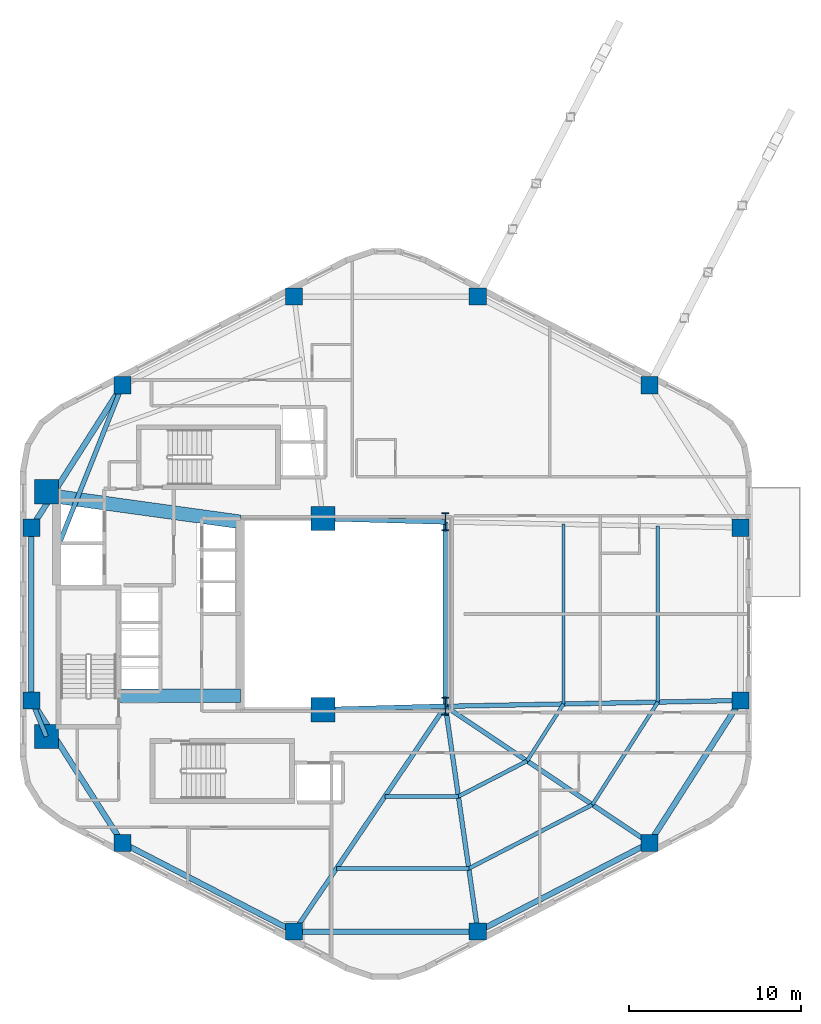
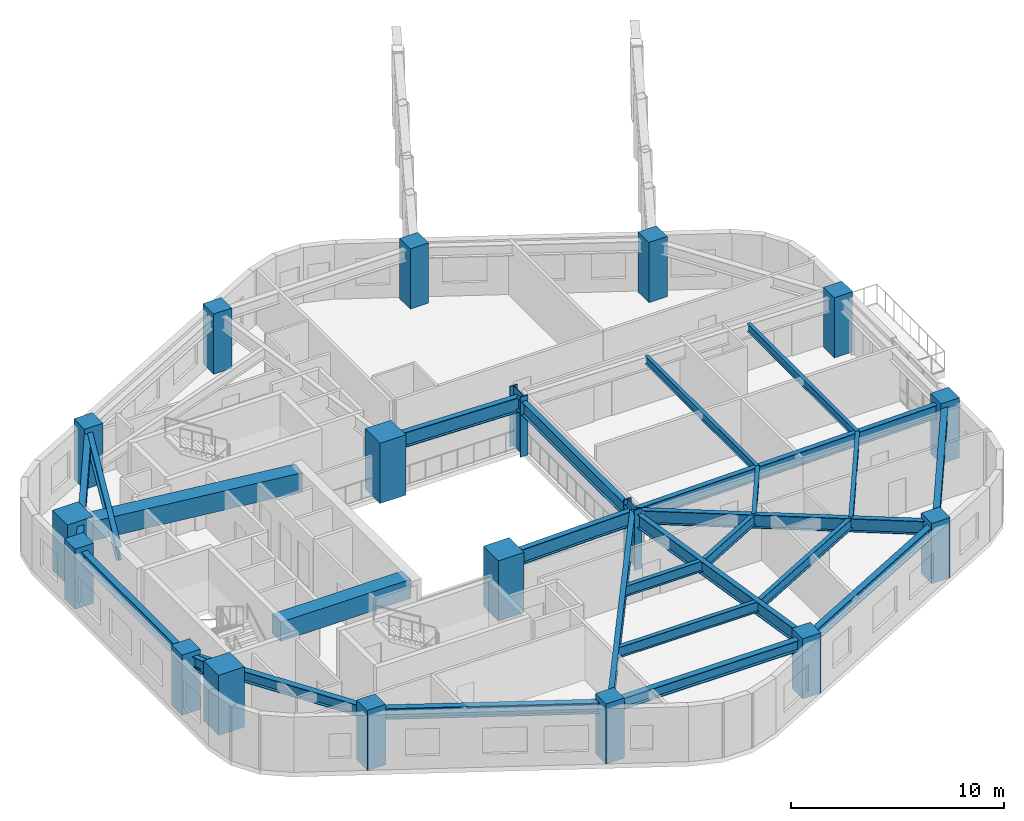
# One storey, part 1 of 9: 26 beams, 18 columns.
"""IFC4 building model written with IfcOpenShell, lengths in metres."""

import ifcopenshell
import ifcopenshell.guid

model = None  # the IFC model being written
_history = None  # IfcOwnerHistory: only IFC2X3 demands one
_inside = {}  # id of a spatial element -> (the spatial element, [elements in it])
_under = {}  # id of a project, library or spatial element -> (it, [spatial elements below it])
_declared = {}  # id of a project -> (the project, [libraries it declares])
_typed = {}  # id of a type object -> (the type object, [elements of that type])
_made_of = {}  # id of a material, layer set ... -> (it, [elements and type objects made of it])


def new_model(schema):
    """Start an empty IFC model of exactly this schema.

    Asked for "IFC4X3", IfcOpenShell would pick the latest addendum, in which some entities
    have other attributes; the version numbers below select the first issue.
    IFC2X3 requires an IfcOwnerHistory on every rooted entity: one is made here for all.
    """
    global model, _history
    if schema == "IFC4X3":
        model = ifcopenshell.file(schema_version=(4, 3, 0, 0))
    else:
        model = ifcopenshell.file(schema=schema)
    _inside.clear()
    _under.clear()
    _declared.clear()
    _typed.clear()
    _made_of.clear()
    _history = None
    if model.schema == "IFC2X3":
        org = make("IfcOrganization", Name="unknown")
        user = make(
            "IfcPersonAndOrganization",
            ThePerson=make("IfcPerson", FamilyName="unknown"),
            TheOrganization=org,
        )
        app = make(
            "IfcApplication",
            ApplicationDeveloper=org,
            Version="unknown",
            ApplicationFullName="unknown",
            ApplicationIdentifier="unknown",
        )
        _history = make(
            "IfcOwnerHistory",
            OwningUser=user,
            OwningApplication=app,
            ChangeAction="ADDED",
            CreationDate=0,
        )
    return model


def make(cls, **values):
    """One entity of the class cls with the attributes given. An attribute that is None is left unset."""
    return model.create_entity(
        cls, **{name: value for name, value in values.items() if value is not None}
    )


def rooted(cls, **values):
    """An entity with a GlobalId (a new one), such as an element, a storey or a relation."""
    return make(cls, GlobalId=ifcopenshell.guid.new(), OwnerHistory=_history, **values)


def si_unit(unit_type, name, prefix=None):
    """IfcSIUnit, for example si_unit("LENGTHUNIT", "METRE", prefix="MILLI")."""
    return make("IfcSIUnit", UnitType=unit_type, Prefix=prefix, Name=name)


def assignment(units):
    """IfcUnitAssignment: the units of a project."""
    return None if units is None else make("IfcUnitAssignment", Units=units)


def point(xyz):
    """IfcCartesianPoint."""
    return None if xyz is None else make("IfcCartesianPoint", Coordinates=xyz)


def direction(xyz):
    """IfcDirection."""
    return None if xyz is None else make("IfcDirection", DirectionRatios=xyz)


def frame(location, z_axis=None, x_axis=None):
    """IfcAxis2Placement3D, a coordinate frame: its origin and axes. An axis left out is left unset."""
    return make(
        "IfcAxis2Placement3D",
        Location=point(location),
        Axis=direction(z_axis),
        RefDirection=direction(x_axis),
    )


def frame_2d(location, x_axis=None):
    """IfcAxis2Placement2D, a coordinate frame in the plane: its origin and x axis."""
    return make(
        "IfcAxis2Placement2D", Location=point(location), RefDirection=direction(x_axis)
    )


def origin():
    """The frame at (0, 0, 0) with its axes left unset."""
    return frame((0.0, 0.0, 0.0))


def origin_2d():
    """The frame at (0, 0) in the plane with its x axis left unset."""
    return frame_2d((0.0, 0.0))


def place(relative_to, where):
    """IfcLocalPlacement: puts the frame where relative to a parent placement (None: the world)."""
    return make(
        "IfcLocalPlacement", PlacementRelTo=relative_to, RelativePlacement=where
    )


def context(
    kind, dimensions, precision=None, world=None, true_north=None, identifier=None
):
    """IfcGeometricRepresentationContext, for example the 3D "Model" context."""
    return make(
        "IfcGeometricRepresentationContext",
        ContextIdentifier=identifier,
        ContextType=kind,
        CoordinateSpaceDimension=dimensions,
        Precision=precision,
        WorldCoordinateSystem=world,
        TrueNorth=true_north,
    )


def subcontext(parent, identifier, kind, view, scale=None):
    """IfcGeometricRepresentationSubContext, for example "Body" below "Model"."""
    return make(
        "IfcGeometricRepresentationSubContext",
        ContextIdentifier=identifier,
        ContextType=kind,
        ParentContext=parent,
        TargetScale=scale,
        TargetView=view,
    )


def project(units=None, contexts=None):
    """IfcProject with its units and contexts."""
    return rooted(
        "IfcProject",
        Name="project",
        RepresentationContexts=contexts,
        UnitsInContext=assignment(units),
    )


def spatial(cls, under=None, at=None, **own):
    """A site, building, storey or space (cls), placed at a placement, below another one or the project."""
    s = rooted(cls, ObjectPlacement=at, **own)
    if under is not None:
        _under.setdefault(under.id(), (under, []))[1].append(s)
    return s


def profile(cls, at=None, kind="AREA", **sizes):
    """A parametric profile (cls). Its sizes go by their IFC names, for example OverallWidth=200.0."""
    return make(cls, ProfileType=kind, Position=at, **sizes)


def rectangle(**sizes):
    """IfcRectangleProfileDef."""
    return profile("IfcRectangleProfileDef", **sizes)


def i_section(**sizes):
    """IfcIShapeProfileDef."""
    return profile("IfcIShapeProfileDef", **sizes)


def extrude(swept, where, along, depth):
    """IfcExtrudedAreaSolid: the profile swept, set in the frame where, extruded along a direction by depth."""
    return make(
        "IfcExtrudedAreaSolid",
        SweptArea=swept,
        Position=where,
        ExtrudedDirection=direction(along),
        Depth=depth,
    )


def shape(context_of_items, identifier, shape_type, items):
    """IfcShapeRepresentation: the items that make up one representation, for example the "Body"."""
    return make(
        "IfcShapeRepresentation",
        ContextOfItems=context_of_items,
        RepresentationIdentifier=identifier,
        RepresentationType=shape_type,
        Items=items,
    )


def material(Name=None, Category=None):
    """IfcMaterial."""
    return make("IfcMaterial", Name=Name, Category=Category)


def material_profile(
    of_material, cross_section, Name=None, Category=None, Priority=None
):
    """IfcMaterialProfile: a cross section and its material."""
    return make(
        "IfcMaterialProfile",
        Name=Name,
        Material=of_material,
        Profile=cross_section,
        Priority=Priority,
        Category=Category,
    )


def profile_set(profiles, Name=None, composite=None):
    """IfcMaterialProfileSet."""
    return make(
        "IfcMaterialProfileSet",
        Name=Name,
        MaterialProfiles=profiles,
        CompositeProfile=composite,
    )


def made_of(thing, what):
    """Note that an element or type object is made of a material, layer set ...; save() writes the relation."""
    if what is not None:
        _made_of.setdefault(what.id(), (what, []))[1].append(thing)
    return thing


def type_object(cls, material=None, **own):
    """A type object (cls), such as IfcWallType, which elements share."""
    return made_of(rooted(cls, **own), material)


def element(
    cls,
    number,
    at=None,
    inside=None,
    cuts=None,
    type_object=None,
    material=None,
    context=None,
    identifier="Body",
    shape_type=None,
    held_by="IfcProductDefinitionShape",
    body=None,
    shapes=None,
    **own,
):
    """One element of the class cls, such as IfcWall. Its Tag is "e" and its number.

    at: its placement. inside: the storey or other place that contains it. cuts: it is an
    opening in that element (IfcRelVoidsElement). A single representation is given by context,
    identifier, shape_type and body (its items); several are given by shapes. held_by: the class
    of the entity that holds the representations. save() writes the other relations.
    """
    e = rooted(cls, Tag="e%d" % number, ObjectPlacement=at, **own)
    if body is not None:
        shapes = [shape(context, identifier, shape_type, body)]
    if shapes is not None:
        e.Representation = make(held_by, Representations=shapes)
    if inside is not None:
        _inside.setdefault(inside.id(), (inside, []))[1].append(e)
    if cuts is not None:
        rooted(
            "IfcRelVoidsElement", RelatingBuildingElement=cuts, RelatedOpeningElement=e
        )
    if type_object is not None:
        _typed.setdefault(type_object.id(), (type_object, []))[1].append(e)
    return made_of(e, material)


def aggregate(whole, parts):
    """IfcRelAggregates: a whole, such as a stair, and the parts it consists of."""
    return rooted("IfcRelAggregates", RelatingObject=whole, RelatedObjects=parts)


def save(model, path):
    """Write the relations noted so far, then the file.

    IfcRelAggregates (storeys below a building ...), IfcRelContainedInSpatialStructure (elements
    in a storey), IfcRelDefinesByType, IfcRelAssociatesMaterial and IfcRelDeclares: one each for
    every whole, place, type object, material and project.
    """
    for whole, parts in _under.values():
        aggregate(whole, parts)
    for where, things in _inside.values():
        rooted(
            "IfcRelContainedInSpatialStructure",
            RelatedElements=things,
            RelatingStructure=where,
        )
    for kind, things in _typed.values():
        rooted("IfcRelDefinesByType", RelatedObjects=things, RelatingType=kind)
    for what, things in _made_of.values():
        rooted("IfcRelAssociatesMaterial", RelatedObjects=things, RelatingMaterial=what)
    for by, libraries in _declared.values():
        rooted("IfcRelDeclares", RelatingContext=by, RelatedDefinitions=libraries)
    model.write(path)


model = new_model("IFC4")

# Units and contexts
model_context = context("Model", 3, precision=1e-05, world=origin(), true_north=direction((0.0, 1.0)))
body_context = subcontext(model_context, "Body", "Model", "MODEL_VIEW")
ifc_project = project(units=[si_unit("LENGTHUNIT", "METRE"), si_unit("AREAUNIT", "SQUARE_METRE"), si_unit("VOLUMEUNIT", "CUBIC_METRE"), si_unit("PLANEANGLEUNIT", "RADIAN"), si_unit("MASSUNIT", "GRAM", prefix="KILO"), si_unit("THERMODYNAMICTEMPERATUREUNIT", "KELVIN"), si_unit("POWERUNIT", "WATT")], contexts=[model_context])

# Site, building, storey
site_placement = place(None, origin())
site = spatial("IfcSite", under=ifc_project, at=site_placement, CompositionType="ELEMENT")
building_placement = place(site_placement, origin())
building = spatial("IfcBuilding", under=site, at=building_placement, Name="Skarre Station Tower", CompositionType="ELEMENT")
storey_placement = place(building_placement, frame((0.0, 0.0, 108.449951171875)))
storey = spatial("IfcBuildingStorey", under=building, at=storey_placement, Name="L28", CompositionType="ELEMENT", Elevation=108.449951171875)

# Columns
ifc_material_1 = material(Name="Concrete C60/75", Category="concrete")
ifc_material_profile_1 = material_profile(ifc_material_1, rectangle(XDim=1.0, YDim=1.0, at=origin_2d()), Name="Concrete C60/75")
ifc_profile_set_1 = profile_set([ifc_material_profile_1], Name="Concrete C60/75")
column_type_1 = type_object("IfcColumnType", Name="RC Structural Column RC-COL-1000X1000", PredefinedType="COLUMN", material=ifc_profile_set_1)
for number, where, z_axis, x_axis, name in (
    (1, (51.291015625, 37.277099609375, 0.0), (0.0, 0.0, 1.0), (1.0, 0.0, 0.0), "L28 Zone 2 Perimeter Column F0C1"),
    (2, (41.3310546875, 42.41796875, 0.0), (0.0, 0.0, 1.0), (1.0, 0.0, 0.0), "L28 Zone 2 Perimeter Column F0C2"),
    (3, (30.6689453125, 42.41796875, 0.0), (0.0, 0.0, 1.0), (1.0, 0.0, 0.0), "L28 Zone 2 Perimeter Column F1C1"),
    (4, (20.708984375, 37.277099609375, 0.0), (0.0, 0.0, 1.0), (1.0, 0.0, 0.0), "L28 Zone 2 Perimeter Column F1C2"),
    (5, (15.431884765625, 29.010986328125, 0.0), (0.0, 0.0, 1.0), (1.0, 0.0, 0.0), "L28 Zone 2 Perimeter Column F2C1"),
    (6, (15.431884765625, 18.989013671875, 0.0), (0.0, 0.0, 1.0), (1.0, 0.0, 0.0), "L28 Zone 2 Perimeter Column F2C2"),
    (7, (20.708984375, 10.722900390625, 0.0), (0.0, 0.0, 1.0), (1.0, 0.0, 0.0), "L28 Zone 2 Perimeter Column F3C1"),
    (8, (30.6689453125, 5.58203125, 0.0), (0.0, 0.0, 1.0), (1.0, 0.0, 0.0), "L28 Zone 2 Perimeter Column F3C2"),
    (9, (41.3310546875, 5.58203125, 0.0), (0.0, 0.0, 1.0), (1.0, 0.0, 0.0), "L28 Zone 2 Perimeter Column F4C1"),
    (10, (51.291015625, 10.722900390625, 0.0), (0.0, 0.0, 1.0), (1.0, 0.0, 0.0), "L28 Zone 2 Perimeter Column F4C2"),
    (11, (56.568115234375, 18.989013671875, 0.0), (0.0, 0.0, 1.0), (1.0, 0.0, 0.0), "L28 Zone 2 Perimeter Column F5C1"),
    (12, (56.568115234375, 29.010986328125, 0.0), (0.0, 0.0, 1.0), (1.0, 0.0, 0.0), "L28 Zone 2 Perimeter Column F5C2"),
):
    element("IfcColumn", number, at=place(storey_placement, frame(where, z_axis=z_axis, x_axis=x_axis)), inside=storey, type_object=column_type_1, Name=name, PredefinedType="COLUMN", context=body_context, shape_type="SweptSolid", body=[
        extrude(rectangle(XDim=1.0, YDim=1.0, at=origin_2d()), origin(), (0.0, 0.0, 1.0), 3.449951171875),
    ])
ifc_material_2 = material(Name="Concrete C70/85", Category="concrete")
ifc_material_profile_2 = material_profile(ifc_material_2, rectangle(XDim=1.39990234375, YDim=1.39990234375, at=origin_2d()), Name="Concrete C70/85")
ifc_profile_set_2 = profile_set([ifc_material_profile_2], Name="Concrete C70/85")
column_type_2 = type_object("IfcColumnType", Name="RC Structural Column RC-COL-1400X1400", PredefinedType="COLUMN", material=ifc_profile_set_2)
for number, where, z_axis, x_axis, name in (
    (13, (16.300048828125, 16.89990234375, 0.0), (0.0, 0.0, 1.0), (1.0, 0.0, 0.0), "L28 Core Column CC-SW"),
    (14, (16.300048828125, 31.10009765625, 0.0), (0.0, 0.0, 1.0), (1.0, 0.0, 0.0), "L28 Core Column CC-NW"),
    (15, (32.35009765625, 18.449951171875, 0.0), (0.0, 0.0, 1.0), (1.0, 0.0, 0.0), "L28 Core Column CC-SE"),
    (16, (32.35009765625, 29.550048828125, 0.0), (0.0, 0.0, 1.0), (1.0, 0.0, 0.0), "L28 Core Column CC-NE"),
):
    element("IfcColumn", number, at=place(storey_placement, frame(where, z_axis=z_axis, x_axis=x_axis)), inside=storey, type_object=column_type_2, Name=name, PredefinedType="COLUMN", context=body_context, shape_type="SweptSolid", body=[
        extrude(rectangle(XDim=1.39990234375, YDim=1.39990234375, at=origin_2d()), origin(), (0.0, 0.0, 1.0), 3.449951171875),
    ])
ifc_material_3 = material(Name="Steel ASTM A913 Grade 65", Category="steel")
ifc_material_profile_3 = material_profile(ifc_material_3, i_section(OverallWidth=0.409912109375, OverallDepth=1.041015625, WebThickness=0.031005859375, FlangeThickness=0.055908203125, at=origin_2d()), Name="Steel ASTM A913 Grade 65")
ifc_profile_set_3 = profile_set([ifc_material_profile_3], Name="Steel ASTM A913 Grade 65")
column_type_3 = type_object("IfcColumnType", Name="Steel Column W40X397", PredefinedType="COLUMN", material=ifc_profile_set_3)
for number, where, z_axis, x_axis, name in (
    (17, (39.449951171875, 18.64990234375, 0.0), (0.0, 0.0, 1.0), (1.0, 0.0, 0.0), "L28 Atrium Spine Column AC-SE"),
    (18, (39.449951171875, 29.35009765625, 0.0), (0.0, 0.0, 1.0), (1.0, 0.0, 0.0), "L28 Atrium Spine Column AC-NE"),
):
    element("IfcColumn", number, at=place(storey_placement, frame(where, z_axis=z_axis, x_axis=x_axis)), inside=storey, type_object=column_type_3, Name=name, PredefinedType="COLUMN", context=body_context, shape_type="SweptSolid", body=[
        extrude(i_section(OverallWidth=0.409912109375, OverallDepth=1.041015625, WebThickness=0.031005859375, FlangeThickness=0.055908203125, at=origin_2d()), origin(), (0.0, 0.0, 1.0), 3.449951171875),
    ])

# Beams
ifc_material_profile_4 = material_profile(ifc_material_2, rectangle(XDim=0.800048828125, YDim=1.10009765625, at=origin_2d()), Name="Concrete C70/85")
ifc_profile_set_4 = profile_set([ifc_material_profile_4], Name="Concrete C70/85")
beam_type_1 = type_object("IfcBeamType", Name="RC Core Coupling Lintel 800x1100", PredefinedType="LINTEL", material=ifc_profile_set_4)
beam_1_placement = place(storey_placement, frame((20.489990234375, 19.260009765625, 2.610107421875), z_axis=(1.0, 0.0, 0.0), x_axis=(0.0, 1.0, 0.0)))
element("IfcBeam", 19, at=beam_1_placement, inside=storey, type_object=beam_type_1, Name="L28 South Core Coupling Lintel", PredefinedType="LINTEL", context=body_context, shape_type="SweptSolid", body=[
    extrude(rectangle(XDim=0.800048828125, YDim=1.10009765625, at=origin_2d()), origin(), (0.0, 0.0, 1.0), 7.06005859375),
])
beam_2_placement = place(storey_placement, frame((17.050048828125, 30.800048828125, 2.610107421875), z_axis=(0.990599723633, -0.136792498109, 0.0), x_axis=(0.136792498109, 0.990599723633, 0.0)))
element("IfcBeam", 20, at=beam_2_placement, inside=storey, type_object=beam_type_1, Name="L28 North Core Coupling Lintel", PredefinedType="LINTEL", context=body_context, shape_type="SweptSolid", body=[
    extrude(rectangle(XDim=0.800048828125, YDim=1.10009765625, at=origin_2d()), origin(), (0.0, 0.0, 1.0), 10.599609375),
])
ifc_material_4 = material(Name="Steel ASTM A992 Grade 50", Category="steel")
ifc_material_profile_5 = material_profile(ifc_material_4, i_section(OverallWidth=0.26806640625, OverallDepth=0.77001953125, WebThickness=0.01611328125, FlangeThickness=0.02490234375, at=origin_2d()), Name="Steel ASTM A992 Grade 50")
ifc_profile_set_5 = profile_set([ifc_material_profile_5], Name="Steel ASTM A992 Grade 50")
beam_type_2 = type_object("IfcBeamType", Name="Steel Beam W30X132", PredefinedType="BEAM", material=ifc_profile_set_5)
beam_3_placement = place(storey_placement, frame((39.449951171875, 18.64990234375, 2.775146484375), z_axis=(0.0, 1.0, 0.0), x_axis=(-1.0, 0.0, 0.0)))
element("IfcBeam", 21, at=beam_3_placement, inside=storey, type_object=beam_type_2, Name="L28 Atrium East Edge Girder", PredefinedType="BEAM", context=body_context, shape_type="SweptSolid", body=[
    extrude(i_section(OverallWidth=0.26806640625, OverallDepth=0.77001953125, WebThickness=0.01611328125, FlangeThickness=0.02490234375, at=origin_2d()), origin(), (0.0, 0.0, 1.0), 10.7001953125),
])
beam_4_placement = place(storey_placement, frame((17.010009765625, 28.0, 2.775146484375), z_axis=(0.370366288946, 0.928885790618, 0.0), x_axis=(-0.928885790618, 0.370366288946, 0.0)))
element("IfcBeam", 22, at=beam_4_placement, inside=storey, type_object=beam_type_2, Name="L28 Radial Floor Girder F1C2", PredefinedType="BEAM", context=body_context, shape_type="SweptSolid", body=[
    extrude(i_section(OverallWidth=0.26806640625, OverallDepth=0.77001953125, WebThickness=0.01611328125, FlangeThickness=0.02490234375, at=origin_2d()), origin(), (0.0, 0.0, 1.0), 9.9873046875),
])
beam_5_placement = place(storey_placement, frame((16.300048828125, 16.89990234375, 2.775146484375), z_axis=(-0.383749333092, 0.923437301256, 0.0), x_axis=(-0.923437301256, -0.383749333092, 0.0)))
element("IfcBeam", 23, at=beam_5_placement, inside=storey, type_object=beam_type_2, Name="L28 Radial Floor Girder F2C2", PredefinedType="BEAM", context=body_context, shape_type="SweptSolid", body=[
    extrude(i_section(OverallWidth=0.26806640625, OverallDepth=0.77001953125, WebThickness=0.01611328125, FlangeThickness=0.02490234375, at=origin_2d()), origin(), (0.0, 0.0, 1.0), 2.26220703125),
])
beam_6_placement = place(storey_placement, frame((39.449951171875, 18.64990234375, 2.775146484375), z_axis=(-0.55773464691, -0.830019315219, 0.0), x_axis=(0.830019315219, -0.55773464691, 0.0)))
element("IfcBeam", 24, at=beam_6_placement, inside=storey, type_object=beam_type_2, Name="L28 Radial Floor Girder F3C2", PredefinedType="BEAM", context=body_context, shape_type="SweptSolid", body=[
    extrude(i_section(OverallWidth=0.26806640625, OverallDepth=0.77001953125, WebThickness=0.01611328125, FlangeThickness=0.02490234375, at=origin_2d()), origin(), (0.0, 0.0, 1.0), 15.744140625),
])
beam_7_placement = place(storey_placement, frame((39.449951171875, 18.64990234375, 2.775146484375), z_axis=(0.142480121776, -0.989797663616, 0.0), x_axis=(0.989797663616, 0.142480121776, 0.0)))
element("IfcBeam", 25, at=beam_7_placement, inside=storey, type_object=beam_type_2, Name="L28 Radial Floor Girder F4C1", PredefinedType="BEAM", context=body_context, shape_type="SweptSolid", body=[
    extrude(i_section(OverallWidth=0.26806640625, OverallDepth=0.77001953125, WebThickness=0.01611328125, FlangeThickness=0.02490234375, at=origin_2d()), origin(), (0.0, 0.0, 1.0), 13.20263671875),
])
beam_8_placement = place(storey_placement, frame((39.449951171875, 18.64990234375, 2.775146484375), z_axis=(0.830981218317, -0.556300471692, 0.0), x_axis=(0.556300471692, 0.830981218317, 0.0)))
element("IfcBeam", 26, at=beam_8_placement, inside=storey, type_object=beam_type_2, Name="L28 Radial Floor Girder F4C2", PredefinedType="BEAM", context=body_context, shape_type="SweptSolid", body=[
    extrude(i_section(OverallWidth=0.26806640625, OverallDepth=0.77001953125, WebThickness=0.01611328125, FlangeThickness=0.02490234375, at=origin_2d()), origin(), (0.0, 0.0, 1.0), 14.24951171875),
])
beam_9_placement = place(storey_placement, frame((39.449951171875, 18.64990234375, 2.775146484375), z_axis=(0.999803839107, 0.019806143142, 0.0), x_axis=(-0.019806143142, 0.999803839107, 0.0)))
element("IfcBeam", 27, at=beam_9_placement, inside=storey, type_object=beam_type_2, Name="L28 Radial Floor Girder F5C1", PredefinedType="BEAM", context=body_context, shape_type="SweptSolid", body=[
    extrude(i_section(OverallWidth=0.26806640625, OverallDepth=0.77001953125, WebThickness=0.01611328125, FlangeThickness=0.02490234375, at=origin_2d()), origin(), (0.0, 0.0, 1.0), 17.12158203125),
])
ifc_material_profile_6 = material_profile(ifc_material_4, i_section(OverallWidth=0.2919921875, OverallDepth=0.85888671875, WebThickness=0.01708984375, FlangeThickness=0.031005859375, at=origin_2d()), Name="Steel ASTM A992 Grade 50")
ifc_profile_set_6 = profile_set([ifc_material_profile_6], Name="Steel ASTM A992 Grade 50")
beam_type_3 = type_object("IfcBeamType", Name="Steel Beam W33X169", PredefinedType="BEAM", material=ifc_profile_set_6)
for number, where, z_axis, x_axis, name in (
    (28, (32.35009765625, 18.449951171875, 2.72998046875), (0.999603666405, 0.028151556095, 0.0), (-0.028151556095, 0.999603666405, 0.0), "L28 Atrium South Edge Girder"),
    (29, (32.35009765625, 29.550048828125, 2.72998046875), (0.999603666405, -0.028151556095, 0.0), (0.028151556095, 0.999603666405, 0.0), "L28 Atrium North Edge Girder"),
):
    element("IfcBeam", number, at=place(storey_placement, frame(where, z_axis=z_axis, x_axis=x_axis)), inside=storey, type_object=beam_type_3, Name=name, PredefinedType="BEAM", context=body_context, shape_type="SweptSolid", body=[
        extrude(i_section(OverallWidth=0.2919921875, OverallDepth=0.85888671875, WebThickness=0.01708984375, FlangeThickness=0.031005859375, at=origin_2d()), origin(), (0.0, 0.0, 1.0), 7.102783203125),
    ])
ifc_material_profile_7 = material_profile(ifc_material_4, i_section(OverallWidth=0.19091796875, OverallDepth=0.45703125, WebThickness=0.009033203125, FlangeThickness=0.013916015625, at=origin_2d()), Name="Steel ASTM A992 Grade 50")
ifc_profile_set_7 = profile_set([ifc_material_profile_7], Name="Steel ASTM A992 Grade 50")
beam_type_4 = type_object("IfcBeamType", Name="Steel Joist W18X50", PredefinedType="JOIST", material=ifc_profile_set_7)
beam_10_placement = place(storey_placement, frame((46.297119140625, 18.785888671875, 2.93212890625), z_axis=(0.0, 1.0, 0.0), x_axis=(-1.0, 0.0, 0.0)))
element("IfcBeam", 30, at=beam_10_placement, inside=storey, type_object=beam_type_4, Name="L28 Auxiliary Composite Joist 9", PredefinedType="JOIST", context=body_context, shape_type="SweptSolid", body=[
    extrude(i_section(OverallWidth=0.19091796875, OverallDepth=0.45703125, WebThickness=0.009033203125, FlangeThickness=0.013916015625, at=origin_2d()), origin(), (0.0, 0.0, 1.0), 10.42822265625),
])
beam_11_placement = place(storey_placement, frame((51.77490234375, 18.89404296875, 2.93212890625), z_axis=(0.0, 1.0, 0.0), x_axis=(-1.0, 0.0, 0.0)))
element("IfcBeam", 31, at=beam_11_placement, inside=storey, type_object=beam_type_4, Name="L28 Auxiliary Composite Joist 10", PredefinedType="JOIST", context=body_context, shape_type="SweptSolid", body=[
    extrude(i_section(OverallWidth=0.19091796875, OverallDepth=0.45703125, WebThickness=0.009033203125, FlangeThickness=0.013916015625, at=origin_2d()), origin(), (0.0, 0.0, 1.0), 10.2119140625),
])
ifc_material_profile_8 = material_profile(ifc_material_4, i_section(OverallWidth=0.208984375, OverallDepth=0.532958984375, WebThickness=0.010009765625, FlangeThickness=0.01611328125, at=origin_2d()), Name="Steel ASTM A992 Grade 50")
ifc_profile_set_8 = profile_set([ifc_material_profile_8], Name="Steel ASTM A992 Grade 50")
beam_type_5 = type_object("IfcBeamType", Name="Steel Joist W21X62", PredefinedType="JOIST", material=ifc_profile_set_8)
beam_12_placement = place(storey_placement, frame((44.18603515625, 15.47900390625, 2.89404296875), z_axis=(0.538090955129, 0.842886780065, 0.0), x_axis=(-0.842886780065, 0.538090955129, 0.0)))
element("IfcBeam", 32, at=beam_12_placement, inside=storey, type_object=beam_type_5, Name="L28 Auxiliary Composite Joist 7", PredefinedType="JOIST", context=body_context, shape_type="SweptSolid", body=[
    extrude(i_section(OverallWidth=0.208984375, OverallDepth=0.532958984375, WebThickness=0.010009765625, FlangeThickness=0.01611328125, at=origin_2d()), origin(), (0.0, 0.0, 1.0), 3.92333984375),
])
beam_13_placement = place(storey_placement, frame((47.97607421875, 12.943115234375, 2.89404296875), z_axis=(0.538072046089, 0.842898851119, 0.0), x_axis=(-0.842898851119, 0.538072046089, 0.0)))
element("IfcBeam", 33, at=beam_13_placement, inside=storey, type_object=beam_type_5, Name="L28 Auxiliary Composite Joist 8", PredefinedType="JOIST", context=body_context, shape_type="SweptSolid", body=[
    extrude(i_section(OverallWidth=0.208984375, OverallDepth=0.532958984375, WebThickness=0.010009765625, FlangeThickness=0.01611328125, at=origin_2d()), origin(), (0.0, 0.0, 1.0), 7.06005859375),
])
ifc_material_profile_9 = material_profile(ifc_material_4, i_section(OverallWidth=0.22802734375, OverallDepth=0.60791015625, WebThickness=0.010986328125, FlangeThickness=0.01708984375, at=origin_2d()), Name="Steel ASTM A992 Grade 50")
ifc_profile_set_9 = profile_set([ifc_material_profile_9], Name="Steel ASTM A992 Grade 50")
beam_type_6 = type_object("IfcBeamType", Name="Steel Joist W24X76", PredefinedType="JOIST", material=ifc_profile_set_9)
beam_14_placement = place(storey_placement, frame((35.93798828125, 13.423095703125, 2.85595703125), z_axis=(1.0, 0.0, 0.0), x_axis=(0.0, 1.0, 0.0)))
element("IfcBeam", 34, at=beam_14_placement, inside=storey, type_object=beam_type_6, Name="L28 Secondary Floor Joist 3", PredefinedType="JOIST", context=body_context, shape_type="SweptSolid", body=[
    extrude(i_section(OverallWidth=0.22802734375, OverallDepth=0.60791015625, WebThickness=0.010986328125, FlangeThickness=0.01708984375, at=origin_2d()), origin(), (0.0, 0.0, 1.0), 4.263916015625),
])
beam_15_placement = place(storey_placement, frame((33.1279296875, 9.240966796875, 2.85595703125), z_axis=(1.0, 0.0, 0.0), x_axis=(0.0, 1.0, 0.0)))
element("IfcBeam", 35, at=beam_15_placement, inside=storey, type_object=beam_type_6, Name="L28 Secondary Floor Joist 4", PredefinedType="JOIST", context=body_context, shape_type="SweptSolid", body=[
    extrude(i_section(OverallWidth=0.22802734375, OverallDepth=0.60791015625, WebThickness=0.010986328125, FlangeThickness=0.01708984375, at=origin_2d()), origin(), (0.0, 0.0, 1.0), 7.676025390625),
])
beam_16_placement = place(storey_placement, frame((40.201904296875, 13.423095703125, 2.85595703125), z_axis=(0.888658598325, 0.458569401097, 0.0), x_axis=(-0.458569401097, 0.888658598325, 0.0)))
element("IfcBeam", 36, at=beam_16_placement, inside=storey, type_object=beam_type_6, Name="L28 Secondary Floor Joist 5", PredefinedType="JOIST", context=body_context, shape_type="SweptSolid", body=[
    extrude(i_section(OverallWidth=0.22802734375, OverallDepth=0.60791015625, WebThickness=0.010986328125, FlangeThickness=0.01708984375, at=origin_2d()), origin(), (0.0, 0.0, 1.0), 4.4833984375),
])
beam_17_placement = place(storey_placement, frame((40.803955078125, 9.240966796875, 2.85595703125), z_axis=(0.888599977053, 0.458682985057, 0.0), x_axis=(-0.458682985057, 0.888599977053, 0.0)))
element("IfcBeam", 37, at=beam_17_placement, inside=storey, type_object=beam_type_6, Name="L28 Secondary Floor Joist 6", PredefinedType="JOIST", context=body_context, shape_type="SweptSolid", body=[
    extrude(i_section(OverallWidth=0.22802734375, OverallDepth=0.60791015625, WebThickness=0.010986328125, FlangeThickness=0.01708984375, at=origin_2d()), origin(), (0.0, 0.0, 1.0), 8.0712890625),
])
ifc_material_profile_10 = material_profile(ifc_material_4, i_section(OverallWidth=0.327880859375, OverallDepth=0.6279296875, WebThickness=0.01708984375, FlangeThickness=0.028076171875, at=origin_2d()), Name="Steel ASTM A992 Grade 50")
ifc_profile_set_10 = profile_set([ifc_material_profile_10], Name="Steel ASTM A992 Grade 50")
beam_type_7 = type_object("IfcBeamType", Name="Steel Spandrel W24X146", PredefinedType="SPANDREL", material=ifc_profile_set_10)
beam_18_placement = place(storey_placement, frame((20.708984375, 37.277099609375, 2.845947265625), z_axis=(-0.538097547923, -0.842882571251, 0.0), x_axis=(0.842882571251, -0.538097547923, 0.0)))
element("IfcBeam", 38, at=beam_18_placement, inside=storey, type_object=beam_type_7, Name="L28 Facet Spandrel Beam 4", PredefinedType="SPANDREL", context=body_context, shape_type="SweptSolid", body=[
    extrude(i_section(OverallWidth=0.327880859375, OverallDepth=0.6279296875, WebThickness=0.01708984375, FlangeThickness=0.028076171875, at=origin_2d()), origin(), (0.0, 0.0, 1.0), 9.806884765625),
])
beam_19_placement = place(storey_placement, frame((15.431884765625, 29.010986328125, 2.845947265625), z_axis=(0.0, -1.0, 0.0), x_axis=(1.0, 0.0, 0.0)))
element("IfcBeam", 39, at=beam_19_placement, inside=storey, type_object=beam_type_7, Name="L28 Facet Spandrel Beam 5", PredefinedType="SPANDREL", context=body_context, shape_type="SweptSolid", body=[
    extrude(i_section(OverallWidth=0.327880859375, OverallDepth=0.6279296875, WebThickness=0.01708984375, FlangeThickness=0.028076171875, at=origin_2d()), origin(), (0.0, 0.0, 1.0), 10.02197265625),
])
beam_20_placement = place(storey_placement, frame((15.431884765625, 18.989013671875, 2.845947265625), z_axis=(0.538097547923, -0.842882571251, 0.0), x_axis=(0.842882571251, 0.538097547923, 0.0)))
element("IfcBeam", 40, at=beam_20_placement, inside=storey, type_object=beam_type_7, Name="L28 Facet Spandrel Beam 6", PredefinedType="SPANDREL", context=body_context, shape_type="SweptSolid", body=[
    extrude(i_section(OverallWidth=0.327880859375, OverallDepth=0.6279296875, WebThickness=0.01708984375, FlangeThickness=0.028076171875, at=origin_2d()), origin(), (0.0, 0.0, 1.0), 9.806884765625),
])
beam_21_placement = place(storey_placement, frame((20.708984375, 10.722900390625, 2.845947265625), z_axis=(0.888611779493, -0.458660119639, 0.0), x_axis=(0.458660119639, 0.888611779493, 0.0)))
element("IfcBeam", 41, at=beam_21_placement, inside=storey, type_object=beam_type_7, Name="L28 Facet Spandrel Beam 7", PredefinedType="SPANDREL", context=body_context, shape_type="SweptSolid", body=[
    extrude(i_section(OverallWidth=0.327880859375, OverallDepth=0.6279296875, WebThickness=0.01708984375, FlangeThickness=0.028076171875, at=origin_2d()), origin(), (0.0, 0.0, 1.0), 11.20849609375),
])
beam_22_placement = place(storey_placement, frame((30.6689453125, 5.58203125, 2.845947265625), z_axis=(1.0, 0.0, 0.0), x_axis=(0.0, 1.0, 0.0)))
element("IfcBeam", 42, at=beam_22_placement, inside=storey, type_object=beam_type_7, Name="L28 Facet Spandrel Beam 8", PredefinedType="SPANDREL", context=body_context, shape_type="SweptSolid", body=[
    extrude(i_section(OverallWidth=0.327880859375, OverallDepth=0.6279296875, WebThickness=0.01708984375, FlangeThickness=0.028076171875, at=origin_2d()), origin(), (0.0, 0.0, 1.0), 10.662109375),
])
beam_23_placement = place(storey_placement, frame((41.3310546875, 5.58203125, 2.845947265625), z_axis=(0.888611779493, 0.458660119639, 0.0), x_axis=(-0.458660119639, 0.888611779493, 0.0)))
element("IfcBeam", 43, at=beam_23_placement, inside=storey, type_object=beam_type_7, Name="L28 Facet Spandrel Beam 9", PredefinedType="SPANDREL", context=body_context, shape_type="SweptSolid", body=[
    extrude(i_section(OverallWidth=0.327880859375, OverallDepth=0.6279296875, WebThickness=0.01708984375, FlangeThickness=0.028076171875, at=origin_2d()), origin(), (0.0, 0.0, 1.0), 11.20849609375),
])
beam_24_placement = place(storey_placement, frame((51.291015625, 10.722900390625, 2.845947265625), z_axis=(0.538097547923, 0.842882571251, 0.0), x_axis=(-0.842882571251, 0.538097547923, 0.0)))
element("IfcBeam", 44, at=beam_24_placement, inside=storey, type_object=beam_type_7, Name="L28 Facet Spandrel Beam 10", PredefinedType="SPANDREL", context=body_context, shape_type="SweptSolid", body=[
    extrude(i_section(OverallWidth=0.327880859375, OverallDepth=0.6279296875, WebThickness=0.01708984375, FlangeThickness=0.028076171875, at=origin_2d()), origin(), (0.0, 0.0, 1.0), 9.806884765625),
])

save(model, "model.ifc")
